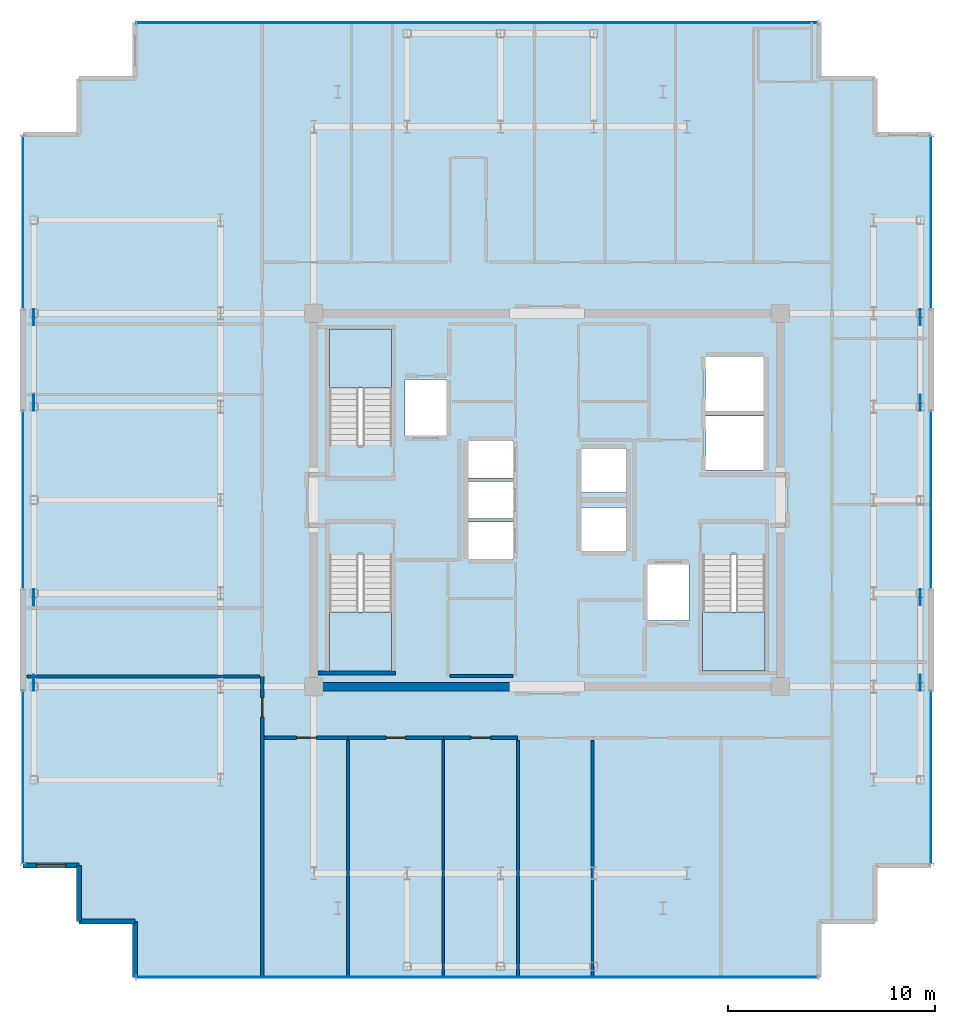
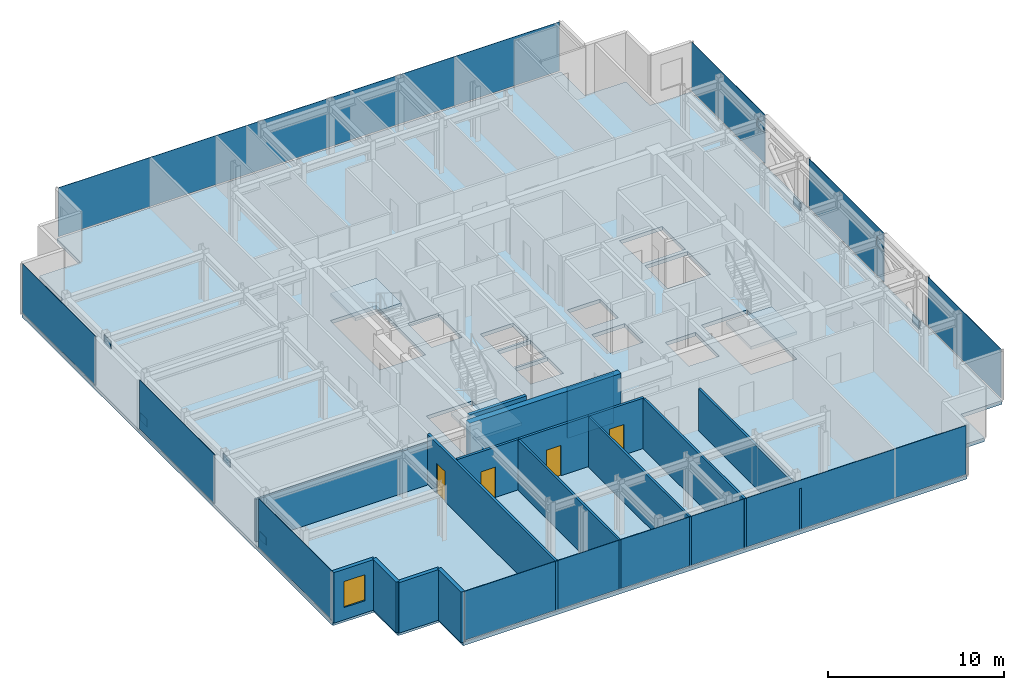
# One storey, part 10 of 16: 16 plates, 16 walls, 4 doors, 4 slabs, 1 window, 5 openings, 11 elements without a shape of their own.
"""IFC4 building model written with IfcOpenShell, lengths in metres."""

from ifc_helpers import new_model, si_unit, direction, frame, frame_2d, origin, origin_2d, place, context, subcontext, project, spatial, polyline, rectangle, outline, extrude, source, transform, mapped, material, layer, layer_set, type_object, element, fill, aggregate, save


model = new_model("IFC4")

# Units and contexts
model_context = context("Model", 3, precision=1e-05, world=origin(), true_north=direction((0.0, 1.0)))
body_context = subcontext(model_context, "Body", "Model", "MODEL_VIEW")
ifc_project = project(units=[si_unit("LENGTHUNIT", "METRE"), si_unit("AREAUNIT", "SQUARE_METRE"), si_unit("VOLUMEUNIT", "CUBIC_METRE"), si_unit("PLANEANGLEUNIT", "RADIAN"), si_unit("MASSUNIT", "GRAM", prefix="KILO")], contexts=[model_context])

# Site, building, storey
site_placement = place(None, origin())
site = spatial("IfcSite", under=ifc_project, at=site_placement, CompositionType="ELEMENT")
building_placement = place(site_placement, origin())
building = spatial("IfcBuilding", under=site, at=building_placement, Name="Nefas-Gora Pilgrimage Tower", CompositionType="ELEMENT")
storey_placement = place(building_placement, frame((0.0, 0.0, 345.199951171875)))
storey = spatial("IfcBuildingStorey", under=building, at=storey_placement, Name="L87", CompositionType="ELEMENT", Elevation=345.199951171875)

# Slab
ifc_material_1 = material(Name="Concrete C40/50", Category="concrete")
ifc_layer_1 = layer(ifc_material_1, 0.25)
ifc_layer_set_1 = layer_set([ifc_layer_1], Name="Concrete C40/50")
slab_type_1 = type_object("IfcSlabType", Name="SLB-TWR-260", PredefinedType="FLOOR", material=ifc_layer_set_1)
slab_1_placement = place(storey_placement, frame((0.0, 0.0, -0.25)))
element("IfcSlab", 1, at=slab_1_placement, inside=storey, type_object=slab_type_1, Name="L87 Structural Floor Slab", PredefinedType="FLOOR", context=body_context, shape_type="SweptSolid", body=[
    extrude(outline(polyline([(18.52001953125, 17.6201171875), (15.820068359375, 17.6201171875), (15.820068359375, 20.320068359375), (13.1201171875, 20.320068359375), (13.1201171875, 23.02001953125), (-19.8701171875, 23.02001953125), (-19.8701171875, 20.320068359375), (-22.570068359375, 20.320068359375), (-22.570068359375, 17.6201171875), (-25.27001953125, 17.6201171875), (-25.27001953125, -17.6201171875), (-22.570068359375, -17.6201171875), (-22.570068359375, -20.320068359375), (-19.8701171875, -20.320068359375), (-19.8701171875, -23.02001953125), (13.1201171875, -23.02001953125), (13.1201171875, -20.320068359375), (15.820068359375, -20.320068359375), (15.820068359375, -17.6201171875), (18.52001953125, -17.6201171875), (18.52001953125, 17.6201171875)]), holes=[polyline([(-10.5, 2.639892578125), (-10.5, 8.25), (-7.5, 8.25), (-7.5, 2.639892578125), (-10.5, 2.639892578125)]), polyline([(10.5, -2.639892578125), (10.5, -8.25), (7.5, -8.25), (7.5, -2.639892578125), (10.5, -2.639892578125)]), polyline([(-7.5, -2.639892578125), (-7.5, -8.25), (-10.5, -8.25), (-10.5, -2.639892578125), (-7.5, -2.639892578125)]), polyline([(-6.85009765625, 5.800048828125), (-4.85009765625, 5.800048828125), (-4.85009765625, 3.10009765625), (-6.85009765625, 3.10009765625), (-6.85009765625, 5.800048828125)]), polyline([(4.85009765625, -3.10009765625), (6.85009765625, -3.10009765625), (6.85009765625, -5.800048828125), (4.85009765625, -5.800048828125), (4.85009765625, -3.10009765625)]), polyline([(7.64990234375, 4.050048828125), (10.449951171875, 4.050048828125), (10.449951171875, 1.449951171875), (7.64990234375, 1.449951171875), (7.64990234375, 4.050048828125)]), polyline([(7.64990234375, 6.89990234375), (10.449951171875, 6.89990234375), (10.449951171875, 4.300048828125), (7.64990234375, 4.300048828125), (7.64990234375, 6.89990234375)]), polyline([(-3.800048828125, -1.050048828125), (-1.64990234375, -1.050048828125), (-1.64990234375, -2.85009765625), (-3.800048828125, -2.85009765625), (-3.800048828125, -1.050048828125)]), polyline([(-3.800048828125, 0.89990234375), (-1.64990234375, 0.89990234375), (-1.64990234375, -0.89990234375), (-3.800048828125, -0.89990234375), (-3.800048828125, 0.89990234375)]), polyline([(-3.800048828125, 2.85009765625), (-1.64990234375, 2.85009765625), (-1.64990234375, 1.050048828125), (-3.800048828125, 1.050048828125), (-3.800048828125, 2.85009765625)]), polyline([(1.64990234375, -0.35009765625), (3.800048828125, -0.35009765625), (3.800048828125, -2.449951171875), (1.64990234375, -2.449951171875), (1.64990234375, -0.35009765625)]), polyline([(1.64990234375, 2.449951171875), (3.800048828125, 2.449951171875), (3.800048828125, 0.35009765625), (1.64990234375, 0.35009765625), (1.64990234375, 2.449951171875)])]), origin(), (0.0, 0.0, 1.0), 0.25),
])

# Stair, slab
ifc_material_2 = material(Name="Concrete C45/55", Category="concrete")
stair_type = type_object("IfcStairType", Name="STR-1400-R1727", PredefinedType="HALF_TURN_STAIR", material=ifc_material_2)
stair_1_placement = place(storey_placement, origin())
stair_1 = element("IfcStair", 2, at=stair_1_placement, inside=storey, type_object=stair_type, Name="L87 Pressurised Tower Exit Stair ST-01", PredefinedType="HALF_TURN_STAIR")
ifc_layer_2 = layer(ifc_material_1, 0.199951171875)
ifc_layer_set_2 = layer_set([ifc_layer_2], Name="Concrete C40/50")
slab_type_2 = type_object("IfcSlabType", Name="STR-LAND-200", PredefinedType="LANDING", material=ifc_layer_set_2)
slab_2_placement = place(storey_placement, frame((0.0, 0.0, 1.699951171875)))
slab_2 = element("IfcSlab", 3, at=slab_2_placement, type_object=slab_type_2, Name="ST-01 landing 1", PredefinedType="LANDING", context=body_context, shape_type="SweptSolid", body=[
    extrude(outline(polyline([(-7.5, 5.39990234375), (-7.5, 8.25), (-10.5, 8.25), (-10.5, 5.39990234375), (-7.5, 5.39990234375)])), origin(), (0.0, 0.0, 1.0), 0.2001953125),
])
aggregate(stair_1, [slab_2])

stair_2_placement = place(storey_placement, origin())
stair_2 = element("IfcStair", 4, at=stair_2_placement, inside=storey, type_object=stair_type, Name="L87 Pressurised Tower Exit Stair ST-02", PredefinedType="HALF_TURN_STAIR")
slab_3_placement = place(storey_placement, frame((0.0, 0.0, 1.699951171875)))
slab_3 = element("IfcSlab", 5, at=slab_3_placement, type_object=slab_type_2, Name="ST-02 landing 1", PredefinedType="LANDING", context=body_context, shape_type="SweptSolid", body=[
    extrude(outline(polyline([(7.5, -5.39990234375), (7.5, -8.25), (10.5, -8.25), (10.5, -5.39990234375), (7.5, -5.39990234375)])), origin(), (0.0, 0.0, 1.0), 0.2001953125),
])
aggregate(stair_2, [slab_3])

stair_3_placement = place(storey_placement, origin())
stair_3 = element("IfcStair", 6, at=stair_3_placement, inside=storey, type_object=stair_type, Name="L87 Pressurised Tower Exit Stair ST-03", PredefinedType="HALF_TURN_STAIR")
slab_4_placement = place(storey_placement, frame((0.0, 0.0, 1.699951171875)))
slab_4 = element("IfcSlab", 7, at=slab_4_placement, type_object=slab_type_2, Name="ST-03 landing 1", PredefinedType="LANDING", context=body_context, shape_type="SweptSolid", body=[
    extrude(outline(polyline([(-10.5, -5.39990234375), (-10.5, -8.25), (-7.5, -8.25), (-7.5, -5.39990234375), (-10.5, -5.39990234375)])), origin(), (0.0, 0.0, 1.0), 0.2001953125),
])
aggregate(stair_3, [slab_4])

# Plates
ifc_material_3 = material(Name="Steel S355", Category="steel")
ifc_layer_3 = layer(ifc_material_3, 0.053955078125)
ifc_layer_set_3 = layer_set([ifc_layer_3], Name="Steel S355")
plate_type_1 = type_object("IfcPlateType", Name="PLT-NODE-N10", PredefinedType="USERDEFINED", material=ifc_layer_set_3)
shared_shape_1 = source(origin(), body_context, "Body", "SweptSolid", [
    extrude(rectangle(XDim=0.780029296875, YDim=0.0380859375, at=origin_2d()), origin(), (0.0, 0.0, 1.0), 0.5400390625),
])
for number, where, z_axis, x_axis, name in (
    (8, (-24.75, -8.81201171875, 0.012451171875), (0.0, 0.0, 1.0), (0.0, 1.0, 0.0), "Structural Node Gusset Plate N10 (L87)"),
    (9, (-24.75, -4.68798828125, 2.917724609375), (0.0, 0.0, 1.0), (0.0, 1.0, 0.0), "Structural Node Gusset Plate N10 (L87)"),
    (10, (-24.75, 4.68798828125, 0.012451171875), (0.0, 0.0, 1.0), (0.0, 1.0, 0.0), "Structural Node Gusset Plate N10 (L87)"),
    (11, (-24.75, 8.81201171875, 2.917724609375), (0.0, 0.0, 1.0), (0.0, 1.0, 0.0), "Structural Node Gusset Plate N10 (L87)"),
    (12, (18.0, -8.81201171875, 0.012451171875), (0.0, 0.0, 1.0), (0.0, 1.0, 0.0), "Structural Node Gusset Plate N10 (L87)"),
    (13, (18.0, -4.68798828125, 2.917724609375), (0.0, 0.0, 1.0), (0.0, 1.0, 0.0), "Structural Node Gusset Plate N10 (L87)"),
    (14, (18.0, 4.68798828125, 0.012451171875), (0.0, 0.0, 1.0), (0.0, 1.0, 0.0), "Structural Node Gusset Plate N10 (L87)"),
    (15, (18.0, 8.81201171875, 2.917724609375), (0.0, 0.0, 1.0), (0.0, 1.0, 0.0), "Structural Node Gusset Plate N10 (L87)"),
):
    element("IfcPlate", number, at=place(storey_placement, frame(where, z_axis=z_axis, x_axis=x_axis)), inside=storey, type_object=plate_type_1, Name=name, ObjectType="GUSSET_PLATE", PredefinedType="USERDEFINED", context=body_context, shape_type="MappedRepresentation", body=[
        mapped(shared_shape_1, transform((0.0, 0.0, 0.0), x_axis=(1.0, 0.0, 0.0), y_axis=(0.0, 1.0, 0.0), z_axis=(0.0, 0.0, 1.0), scale=1.0)),
    ])

# Curtain wall, plate
ifc_material_4 = material(Name="Dark ceramic-fritted solar-control aluminium-glass curtain wall", Category="aluminium")
ifc_layer_4 = layer(ifc_material_4, 0.219970703125)
ifc_layer_set_4 = layer_set([ifc_layer_4], Name="Dark ceramic-fritted solar-control aluminium-glass curtain wall")
curtain_wall_type = type_object("IfcCurtainWallType", Name="CW-SYS-4", PredefinedType="NOTDEFINED", material=ifc_layer_set_4)
curtain_wall_1_placement = place(storey_placement, origin())
curtain_wall_1 = element("IfcCurtainWall", 16, at=curtain_wall_1_placement, inside=storey, type_object=curtain_wall_type, Name="L87 Unitised Curtain Wall CW4", PredefinedType="NOTDEFINED")
ifc_material_5 = material(Name="Dark ceramic-printed low-e insulated glass", Category="glass")
ifc_layer_5 = layer(ifc_material_5, 0.030029296875)
ifc_layer_set_5 = layer_set([ifc_layer_5], Name="Dark ceramic-printed low-e insulated glass")
plate_type_2 = type_object("IfcPlateType", Name="CWP-PNL-4", PredefinedType="CURTAIN_PANEL", material=ifc_layer_set_5)
shared_shape_2 = source(origin(), body_context, "Body", "SweptSolid", [
    extrude(rectangle(XDim=32.81005859375, YDim=0.030029296875, at=origin_2d()), origin(), (0.0, 0.0, 1.0), 3.389892578125),
])
plate_1_placement = place(storey_placement, frame((-3.375, 23.02001953125, 0.10009765625), z_axis=(0.0, 0.0, 1.0), x_axis=(-1.0, 0.0, 0.0)))
plate_1 = element("IfcPlate", 17, at=plate_1_placement, type_object=plate_type_2, Name="CW4 Ceramic-Fritted Glazing Panel 1", PredefinedType="CURTAIN_PANEL", context=body_context, shape_type="MappedRepresentation", body=[
    mapped(shared_shape_2, transform((0.0, 0.0, 0.0), x_axis=(1.0, 0.0, 0.0), y_axis=(0.0, 1.0, 0.0), z_axis=(0.0, 0.0, 1.0), scale=1.0)),
])
aggregate(curtain_wall_1, [plate_1])

curtain_wall_2_placement = place(storey_placement, origin())
curtain_wall_2 = element("IfcCurtainWall", 18, at=curtain_wall_2_placement, inside=storey, type_object=curtain_wall_type, Name="L87 Unitised Curtain Wall CW4", PredefinedType="NOTDEFINED")
plate_2_placement = place(storey_placement, frame((-3.375, -23.02001953125, 0.10009765625), z_axis=(0.0, 0.0, 1.0), x_axis=(1.0, 0.0, 0.0)))
plate_2 = element("IfcPlate", 19, at=plate_2_placement, type_object=plate_type_2, Name="CW4 Ceramic-Fritted Glazing Panel 1", PredefinedType="CURTAIN_PANEL", context=body_context, shape_type="MappedRepresentation", body=[
    mapped(shared_shape_2, transform((0.0, 0.0, 0.0), x_axis=(1.0, 0.0, 0.0), y_axis=(0.0, 1.0, 0.0), z_axis=(0.0, 0.0, 1.0), scale=1.0)),
])
aggregate(curtain_wall_2, [plate_2])

curtain_wall_3_placement = place(storey_placement, origin())
curtain_wall_3 = element("IfcCurtainWall", 20, at=curtain_wall_3_placement, inside=storey, type_object=curtain_wall_type, Name="L87 Unitised Curtain Wall CW4", PredefinedType="NOTDEFINED")
shared_shape_3 = source(origin(), body_context, "Body", "SweptSolid", [
    extrude(rectangle(XDim=8.2900390625, YDim=0.030029296875, at=origin_2d()), origin(), (0.0, 0.0, 1.0), 3.389892578125),
])
plate_3_placement = place(storey_placement, frame((-25.27001953125, 13.385009765625, 0.10009765625), z_axis=(0.0, 0.0, 1.0), x_axis=(0.0, -1.0, 0.0)))
plate_3 = element("IfcPlate", 21, at=plate_3_placement, type_object=plate_type_2, Name="CW4 Ceramic-Fritted Glazing Panel 1", PredefinedType="CURTAIN_PANEL", context=body_context, shape_type="MappedRepresentation", body=[
    mapped(shared_shape_3, transform((0.0, 0.0, 0.0), x_axis=(1.0, 0.0, 0.0), y_axis=(0.0, 1.0, 0.0), z_axis=(0.0, 0.0, 1.0), scale=1.0)),
])
aggregate(curtain_wall_3, [plate_3])

curtain_wall_4_placement = place(storey_placement, origin())
curtain_wall_4 = element("IfcCurtainWall", 22, at=curtain_wall_4_placement, inside=storey, type_object=curtain_wall_type, Name="L87 Unitised Curtain Wall CW4", PredefinedType="NOTDEFINED")
plate_4_placement = place(storey_placement, frame((-25.27001953125, -13.385009765625, 0.10009765625), z_axis=(0.0, 0.0, 1.0), x_axis=(0.0, -1.0, 0.0)))
plate_4 = element("IfcPlate", 23, at=plate_4_placement, type_object=plate_type_2, Name="CW4 Ceramic-Fritted Glazing Panel 1", PredefinedType="CURTAIN_PANEL", context=body_context, shape_type="MappedRepresentation", body=[
    mapped(shared_shape_3, transform((0.0, 0.0, 0.0), x_axis=(1.0, 0.0, 0.0), y_axis=(0.0, 1.0, 0.0), z_axis=(0.0, 0.0, 1.0), scale=1.0)),
])
aggregate(curtain_wall_4, [plate_4])

curtain_wall_5_placement = place(storey_placement, origin())
curtain_wall_5 = element("IfcCurtainWall", 24, at=curtain_wall_5_placement, inside=storey, type_object=curtain_wall_type, Name="L87 Unitised Curtain Wall CW4", PredefinedType="NOTDEFINED")
plate_5_placement = place(storey_placement, frame((18.52001953125, -13.385009765625, 0.10009765625), z_axis=(0.0, 0.0, 1.0), x_axis=(0.0, 1.0, 0.0)))
plate_5 = element("IfcPlate", 25, at=plate_5_placement, type_object=plate_type_2, Name="CW4 Ceramic-Fritted Glazing Panel 1", PredefinedType="CURTAIN_PANEL", context=body_context, shape_type="MappedRepresentation", body=[
    mapped(shared_shape_3, transform((0.0, 0.0, 0.0), x_axis=(1.0, 0.0, 0.0), y_axis=(0.0, 1.0, 0.0), z_axis=(0.0, 0.0, 1.0), scale=1.0)),
])
aggregate(curtain_wall_5, [plate_5])

curtain_wall_6_placement = place(storey_placement, origin())
curtain_wall_6 = element("IfcCurtainWall", 26, at=curtain_wall_6_placement, inside=storey, type_object=curtain_wall_type, Name="L87 Unitised Curtain Wall CW4", PredefinedType="NOTDEFINED")
plate_6_placement = place(storey_placement, frame((18.52001953125, 13.385009765625, 0.10009765625), z_axis=(0.0, 0.0, 1.0), x_axis=(0.0, 1.0, 0.0)))
plate_6 = element("IfcPlate", 27, at=plate_6_placement, type_object=plate_type_2, Name="CW4 Ceramic-Fritted Glazing Panel 1", PredefinedType="CURTAIN_PANEL", context=body_context, shape_type="MappedRepresentation", body=[
    mapped(shared_shape_3, transform((0.0, 0.0, 0.0), x_axis=(1.0, 0.0, 0.0), y_axis=(0.0, 1.0, 0.0), z_axis=(0.0, 0.0, 1.0), scale=1.0)),
])
aggregate(curtain_wall_6, [plate_6])

curtain_wall_7_placement = place(storey_placement, origin())
curtain_wall_7 = element("IfcCurtainWall", 28, at=curtain_wall_7_placement, inside=storey, type_object=curtain_wall_type, Name="L87 Unitised Curtain Wall CW4", PredefinedType="NOTDEFINED")
shared_shape_4 = source(origin(), body_context, "Body", "SweptSolid", [
    extrude(rectangle(XDim=8.52001953125, YDim=0.030029296875, at=origin_2d()), origin(), (0.0, 0.0, 1.0), 3.389892578125),
])
plate_7_placement = place(storey_placement, frame((-25.27001953125, 0.0, 0.10009765625), z_axis=(0.0, 0.0, 1.0), x_axis=(0.0, -1.0, 0.0)))
plate_7 = element("IfcPlate", 29, at=plate_7_placement, type_object=plate_type_2, Name="CW4 Ceramic-Fritted Glazing Panel 1", PredefinedType="CURTAIN_PANEL", context=body_context, shape_type="MappedRepresentation", body=[
    mapped(shared_shape_4, transform((0.0, 0.0, 0.0), x_axis=(1.0, 0.0, 0.0), y_axis=(0.0, 1.0, 0.0), z_axis=(0.0, 0.0, 1.0), scale=1.0)),
])
aggregate(curtain_wall_7, [plate_7])

curtain_wall_8_placement = place(storey_placement, origin())
curtain_wall_8 = element("IfcCurtainWall", 30, at=curtain_wall_8_placement, inside=storey, type_object=curtain_wall_type, Name="L87 Unitised Curtain Wall CW4", PredefinedType="NOTDEFINED")
plate_8_placement = place(storey_placement, frame((18.52001953125, 0.0, 0.10009765625), z_axis=(0.0, 0.0, 1.0), x_axis=(0.0, 1.0, 0.0)))
plate_8 = element("IfcPlate", 31, at=plate_8_placement, type_object=plate_type_2, Name="CW4 Ceramic-Fritted Glazing Panel 1", PredefinedType="CURTAIN_PANEL", context=body_context, shape_type="MappedRepresentation", body=[
    mapped(shared_shape_4, transform((0.0, 0.0, 0.0), x_axis=(1.0, 0.0, 0.0), y_axis=(0.0, 1.0, 0.0), z_axis=(0.0, 0.0, 1.0), scale=1.0)),
])
aggregate(curtain_wall_8, [plate_8])

# Wall
ifc_material_6 = material(Name="Concrete C50/60", Category="concrete")
ifc_layer_6 = layer(ifc_material_6, 0.39990234375)
ifc_layer_set_6 = layer_set([ifc_layer_6], Name="Concrete C50/60")
wall_type_1 = type_object("IfcWallType", Name="SW-CORE-400", PredefinedType="SHEAR", material=ifc_layer_set_6)
shared_shape_5 = source(origin(), body_context, "Body", "SweptSolid", [
    extrude(rectangle(XDim=9.89990234375, YDim=0.39990234375, at=frame_2d((4.949951171875, 0.0))), origin(), (0.0, 0.0, 1.0), 3.800048828125),
])
wall_1_placement = place(storey_placement, frame((-11.449951171875, -9.0, 0.0), z_axis=(0.0, 0.0, 1.0), x_axis=(1.0, 0.0, 0.0)))
element("IfcWall", 32, at=wall_1_placement, inside=storey, type_object=wall_type_1, Name="L87 Core Shear Wall S-West", PredefinedType="SHEAR", context=body_context, shape_type="MappedRepresentation", body=[
    mapped(shared_shape_5, transform((0.0, 0.0, 0.0), x_axis=(1.0, 0.0, 0.0), y_axis=(0.0, 1.0, 0.0), z_axis=(0.0, 0.0, 1.0), scale=1.0)),
])

# Wall, opening, window
ifc_material_7 = material(Name="Precast concrete C45/55", Category="concrete")
ifc_layer_7 = layer(ifc_material_7, 0.239990234375)
ifc_layer_set_7 = layer_set([ifc_layer_7], Name="Precast concrete C45/55")
wall_type_2 = type_object("IfcWallType", Name="EW-SERR-240", PredefinedType="SHEAR", material=ifc_layer_set_7)
shared_shape_6 = source(origin(), body_context, "Body", "SweptSolid", [
    extrude(rectangle(XDim=2.699951171875, YDim=0.239990234375, at=frame_2d((1.35009765625, 0.0))), origin(), (0.0, 0.0, 1.0), 3.5),
])
wall_2_placement = place(storey_placement, frame((-25.27001953125, -17.6201171875, 0.0), z_axis=(0.0, 0.0, 1.0), x_axis=(1.0, 0.0, 0.0)))
wall_2 = element("IfcWall", 33, at=wall_2_placement, inside=storey, type_object=wall_type_2, Name="L87 Serrated Corner Shear Pier Wall 13", PredefinedType="SHEAR", context=body_context, shape_type="MappedRepresentation", body=[
    mapped(shared_shape_6, transform((0.0, 0.0, 0.0), x_axis=(1.0, 0.0, 0.0), y_axis=(0.0, 1.0, 0.0), z_axis=(0.0, 0.0, 1.0), scale=1.0)),
])
opening_1_placement = place(wall_2_placement, frame((0.64990234375, 0.0, 0.85009765625)))
opening_1 = element("IfcOpeningElement", 34, at=opening_1_placement, cuts=wall_2, Name="Opening W-V2", PredefinedType="OPENING", context=body_context, shape_type="SweptSolid", body=[
    extrude(rectangle(XDim=1.39990234375, YDim=1.800048828125, at=frame_2d((0.699951171875, 0.89990234375))), frame((0.0, 0.1298828125, 0.0), z_axis=(0.0, -1.0, 0.0), x_axis=(1.0, 0.0, 0.0)), (0.0, 0.0, 1.0), 0.260009765625),
])
ifc_material_8 = material(Name="Dark ceramic-fritted operable aluminium-glass window", Category="aluminium")
window_type = type_object("IfcWindowType", Name="WIN-VENT-1400x1800", PartitioningType="SINGLE_PANEL", PredefinedType="WINDOW", material=ifc_material_8)
shared_shape_7 = source(origin(), body_context, "Body", "SweptSolid", [
    extrude(rectangle(XDim=1.39990234375, YDim=1.800048828125, at=frame_2d((0.699951171875, 0.89990234375))), frame((0.0, 0.030029296875, 0.0), z_axis=(0.0, -1.0, 0.0), x_axis=(1.0, 0.0, 0.0)), (0.0, 0.0, 1.0), 0.06005859375),
])
window_placement = place(opening_1_placement, origin())
window = element("IfcWindow", 35, at=window_placement, inside=storey, type_object=window_type, Name="L87 Operable Parallel-Outswing Window 13", OverallHeight=1.800048828125, OverallWidth=1.39990234375, PartitioningType="SINGLE_PANEL", PredefinedType="WINDOW", context=body_context, shape_type="MappedRepresentation", body=[
    mapped(shared_shape_7, transform((0.0, 0.0, 0.0), x_axis=(1.0, 0.0, 0.0), y_axis=(0.0, 1.0, 0.0), z_axis=(0.0, 0.0, 1.0), scale=1.0)),
])
fill(opening_1, window)

# Walls
for number, where, z_axis, x_axis, name in (
    (36, (-22.570068359375, -17.6201171875, 0.0), (0.0, 0.0, 1.0), (0.0, -1.0, 0.0), "L87 Serrated Corner Shear Pier Wall 14"),
    (37, (-22.570068359375, -20.320068359375, 0.0), (0.0, 0.0, 1.0), (1.0, 0.0, 0.0), "L87 Serrated Corner Shear Pier Wall 15"),
    (38, (-19.8701171875, -20.320068359375, 0.0), (0.0, 0.0, 1.0), (0.0, -1.0, 0.0), "L87 Serrated Corner Shear Pier Wall 16"),
):
    element("IfcWall", number, at=place(storey_placement, frame(where, z_axis=z_axis, x_axis=x_axis)), inside=storey, type_object=wall_type_2, Name=name, PredefinedType="SHEAR", context=body_context, shape_type="MappedRepresentation", body=[
        mapped(shared_shape_6, transform((0.0, 0.0, 0.0), x_axis=(1.0, 0.0, 0.0), y_axis=(0.0, 1.0, 0.0), z_axis=(0.0, 0.0, 1.0), scale=1.0)),
    ])
ifc_layer_8 = layer(ifc_material_2, 0.199951171875)
ifc_layer_set_8 = layer_set([ifc_layer_8], Name="Concrete C45/55")
wall_type_3 = type_object("IfcWallType", Name="IW-STAIR-200", PredefinedType="SOLIDWALL", material=ifc_layer_set_8)
shared_shape_8 = source(origin(), body_context, "Body", "SweptSolid", [
    extrude(rectangle(XDim=3.7548828125, YDim=0.199951171875, at=frame_2d((1.87744140625, 0.0))), origin(), (0.0, 0.0, 1.0), 3.800048828125),
])
wall_3_placement = place(storey_placement, frame((-11.054931640625, -8.35009765625, 0.0), z_axis=(0.0, 0.0, 1.0), x_axis=(1.0, 0.0, 0.0)))
element("IfcWall", 39, at=wall_3_placement, inside=storey, type_object=wall_type_3, Name="L87 Stairwell Shear Wall ST-03-far", PredefinedType="SOLIDWALL", context=body_context, shape_type="MappedRepresentation", body=[
    mapped(shared_shape_8, transform((0.0, 0.0, 0.0), x_axis=(1.0, 0.0, 0.0), y_axis=(0.0, 1.0, 0.0), z_axis=(0.0, 0.0, 1.0), scale=1.0)),
])

# Wall, opening, door
ifc_material_9 = material(Name="Gypsum acoustic stud partition")
ifc_layer_9 = layer(ifc_material_9, 0.159912109375)
ifc_layer_set_9 = layer_set([ifc_layer_9], Name="Gypsum acoustic stud partition")
wall_type_4 = type_object("IfcWallType", Name="IW-CORR-160", PredefinedType="PARTITIONING", material=ifc_layer_set_9)
shared_shape_9 = source(origin(), body_context, "Body", "SweptSolid", [
    extrude(rectangle(XDim=14.544921875, YDim=0.159912109375, at=frame_2d((7.2724609375, 0.0))), origin(), (0.0, 0.0, 1.0), 3.485107421875),
])
wall_4_placement = place(storey_placement, frame((-13.739990234375, -23.0400390625, 0.0), z_axis=(0.0, 0.0, 1.0), x_axis=(0.0, 1.0, 0.0)))
wall_4 = element("IfcWall", 40, at=wall_4_placement, inside=storey, type_object=wall_type_4, Name="L87 Pilgrim Devotional Prayer Gallery Partition Wall 43", PredefinedType="PARTITIONING", context=body_context, shape_type="MappedRepresentation", body=[
    mapped(shared_shape_9, transform((0.0, 0.0, 0.0), x_axis=(1.0, 0.0, 0.0), y_axis=(0.0, 1.0, 0.0), z_axis=(0.0, 0.0, 1.0), scale=1.0)),
])
opening_2_placement = place(wall_4_placement, frame((12.5625, 0.0, 0.0)))
opening_2 = element("IfcOpeningElement", 41, at=opening_2_placement, cuts=wall_4, Name="Opening ID-GR1", PredefinedType="OPENING", context=body_context, shape_type="SweptSolid", body=[
    extrude(rectangle(XDim=0.949951171875, YDim=2.10009765625, at=frame_2d((0.47509765625, 1.050048828125))), frame((0.0, 0.08984375, 0.0), z_axis=(0.0, -1.0, 0.0), x_axis=(1.0, 0.0, 0.0)), (0.0, 0.0, 1.0), 0.179931640625),
])
ifc_material_10 = material(Name="Solid core oak fire-rated guest entrance door")
door_type = type_object("IfcDoorType", Name="DR-INT-GUEST-950", OperationType="NOTDEFINED", PredefinedType="DOOR", material=ifc_material_10)
shared_shape_10 = source(origin(), body_context, "Body", "SweptSolid", [
    extrude(rectangle(XDim=0.949951171875, YDim=2.10009765625, at=frame_2d((0.47509765625, 1.050048828125))), frame((0.0, 0.02490234375, 0.0), z_axis=(0.0, -1.0, 0.0), x_axis=(1.0, 0.0, 0.0)), (0.0, 0.0, 1.0), 0.050048828125),
])
door_1_placement = place(opening_2_placement, origin())
door_1 = element("IfcDoor", 42, at=door_1_placement, inside=storey, type_object=door_type, Name="L87 Pilgrim Devotional Prayer Gallery Door 17", OperationType="SINGLE_SWING_RIGHT", OverallHeight=2.10009765625, OverallWidth=0.949951171875, PredefinedType="DOOR", context=body_context, shape_type="MappedRepresentation", body=[
    mapped(shared_shape_10, transform((0.0, 0.0, 0.0), x_axis=(1.0, 0.0, 0.0), y_axis=(0.0, 1.0, 0.0), z_axis=(0.0, 0.0, 1.0), scale=1.0)),
])
fill(opening_2, door_1)

# Walls
ifc_material_11 = material(Name="Gypsum twin-stud partition")
ifc_layer_10 = layer(ifc_material_11, 0.139892578125)
ifc_layer_set_10 = layer_set([ifc_layer_10], Name="Gypsum twin-stud partition")
wall_type_5 = type_object("IfcWallType", Name="IW-UNIT-140", PredefinedType="PARTITIONING", material=ifc_layer_set_10)
shared_shape_11 = source(origin(), body_context, "Body", "SweptSolid", [
    extrude(rectangle(XDim=11.219970703125, YDim=0.139892578125, at=frame_2d((5.60986328125, 0.0))), origin(), (0.0, 0.0, 1.0), 2.925048828125),
])
wall_5_placement = place(storey_placement, frame((-25.080078125, -8.5048828125, 0.0), z_axis=(0.0, 0.0, 1.0), x_axis=(1.0, 0.0, 0.0)))
element("IfcWall", 43, at=wall_5_placement, inside=storey, type_object=wall_type_5, Name="L87 Pilgrim Devotional Prayer Gallery Partition Wall 44", PredefinedType="PARTITIONING", context=body_context, shape_type="MappedRepresentation", body=[
    mapped(shared_shape_11, transform((0.0, 0.0, 0.0), x_axis=(1.0, 0.0, 0.0), y_axis=(0.0, 1.0, 0.0), z_axis=(0.0, 0.0, 1.0), scale=1.0)),
])
shared_shape_12 = source(origin(), body_context, "Body", "SweptSolid", [
    extrude(rectangle(XDim=11.449951171875, YDim=0.139892578125, at=frame_2d((5.72509765625, 0.0))), origin(), (0.0, 0.0, 1.0), 2.925048828125),
])
wall_6_placement = place(storey_placement, frame((2.195068359375, -23.0400390625, 0.0), z_axis=(0.0, 0.0, 1.0), x_axis=(0.0, 1.0, 0.0)))
element("IfcWall", 44, at=wall_6_placement, inside=storey, type_object=wall_type_5, Name="L87 Pilgrim Contemplative Lounge Partition Wall 80", PredefinedType="PARTITIONING", context=body_context, shape_type="MappedRepresentation", body=[
    mapped(shared_shape_12, transform((0.0, 0.0, 0.0), x_axis=(1.0, 0.0, 0.0), y_axis=(0.0, 1.0, 0.0), z_axis=(0.0, 0.0, 1.0), scale=1.0)),
])
shared_shape_13 = source(origin(), body_context, "Body", "SweptSolid", [
    extrude(rectangle(XDim=3.030029296875, YDim=0.139892578125, at=frame_2d((1.51513671875, 0.0))), origin(), (0.0, 0.0, 1.0), 3.485107421875),
])
wall_7_placement = place(storey_placement, frame((-4.669921875, -8.47998046875, 0.0), z_axis=(0.0, 0.0, 1.0), x_axis=(1.0, 0.0, 0.0)))
element("IfcWall", 45, at=wall_7_placement, inside=storey, type_object=wall_type_5, Name="L87 High-Rise Linen Store Partition Wall 36", PredefinedType="PARTITIONING", context=body_context, shape_type="MappedRepresentation", body=[
    mapped(shared_shape_13, transform((0.0, 0.0, 0.0), x_axis=(1.0, 0.0, 0.0), y_axis=(0.0, 1.0, 0.0), z_axis=(0.0, 0.0, 1.0), scale=1.0)),
])
shared_shape_14 = source(origin(), body_context, "Body", "SweptSolid", [
    extrude(rectangle(XDim=11.449951171875, YDim=0.139892578125, at=frame_2d((5.72509765625, 0.0))), origin(), (0.0, 0.0, 1.0), 3.485107421875),
])
for number, where, z_axis, x_axis, name in (
    (46, (-9.60498046875, -23.0400390625, 0.0), (0.0, 0.0, 1.0), (0.0, 1.0, 0.0), "L87 Pilgrim Contemplative Lounge Partition Wall 74"),
    (47, (-5.0048828125, -23.0400390625, 0.0), (0.0, 0.0, 1.0), (0.0, 1.0, 0.0), "L87 Pilgrim Contemplative Lounge Partition Wall 76"),
    (48, (-1.409912109375, -23.0400390625, 0.0), (0.0, 0.0, 1.0), (0.0, 1.0, 0.0), "L87 Pilgrim Contemplative Lounge Partition Wall 78"),
):
    element("IfcWall", number, at=place(storey_placement, frame(where, z_axis=z_axis, x_axis=x_axis)), inside=storey, type_object=wall_type_5, Name=name, PredefinedType="PARTITIONING", context=body_context, shape_type="MappedRepresentation", body=[
        mapped(shared_shape_14, transform((0.0, 0.0, 0.0), x_axis=(1.0, 0.0, 0.0), y_axis=(0.0, 1.0, 0.0), z_axis=(0.0, 0.0, 1.0), scale=1.0)),
    ])

# Wall, opening, door
shared_shape_15 = source(origin(), body_context, "Body", "SweptSolid", [
    extrude(rectangle(XDim=4.025146484375, YDim=0.159912109375, at=frame_2d((2.0126953125, 0.0))), origin(), (0.0, 0.0, 1.0), 3.485107421875),
])
wall_8_placement = place(storey_placement, frame((-13.6201171875, -11.469970703125, 0.0), z_axis=(0.0, 0.0, 1.0), x_axis=(1.0, 0.0, 0.0)))
wall_8 = element("IfcWall", 49, at=wall_8_placement, inside=storey, type_object=wall_type_4, Name="L87 Pilgrim Contemplative Lounge Partition Wall 73", PredefinedType="PARTITIONING", context=body_context, shape_type="MappedRepresentation", body=[
    mapped(shared_shape_15, transform((0.0, 0.0, 0.0), x_axis=(1.0, 0.0, 0.0), y_axis=(0.0, 1.0, 0.0), z_axis=(0.0, 0.0, 1.0), scale=1.0)),
])
opening_3_placement = place(wall_8_placement, frame((1.53759765625, 0.0, 0.0)))
opening_3 = element("IfcOpeningElement", 50, at=opening_3_placement, cuts=wall_8, Name="Opening ID-GR1", PredefinedType="OPENING", context=body_context, shape_type="SweptSolid", body=[
    extrude(rectangle(XDim=0.949951171875, YDim=2.10009765625, at=frame_2d((0.47509765625, 1.050048828125))), frame((0.0, 0.08984375, 0.0), z_axis=(0.0, -1.0, 0.0), x_axis=(1.0, 0.0, 0.0)), (0.0, 0.0, 1.0), 0.179931640625),
])
door_2_placement = place(opening_3_placement, origin())
door_2 = element("IfcDoor", 51, at=door_2_placement, inside=storey, type_object=door_type, Name="L87 Pilgrim Contemplative Lounge Door 32", OperationType="SINGLE_SWING_LEFT", OverallHeight=2.10009765625, OverallWidth=0.949951171875, PredefinedType="DOOR", context=body_context, shape_type="MappedRepresentation", body=[
    mapped(shared_shape_10, transform((0.0, 0.0, 0.0), x_axis=(1.0, 0.0, 0.0), y_axis=(0.0, 1.0, 0.0), z_axis=(0.0, 0.0, 1.0), scale=1.0)),
])
fill(opening_3, door_2)

shared_shape_16 = source(origin(), body_context, "Body", "SweptSolid", [
    extrude(rectangle(XDim=4.60986328125, YDim=0.159912109375, at=frame_2d((2.304931640625, 0.0))), origin(), (0.0, 0.0, 1.0), 3.485107421875),
])
wall_9_placement = place(storey_placement, frame((-9.60498046875, -11.469970703125, 0.0), z_axis=(0.0, 0.0, 1.0), x_axis=(1.0, 0.0, 0.0)))
wall_9 = element("IfcWall", 52, at=wall_9_placement, inside=storey, type_object=wall_type_4, Name="L87 Pilgrim Contemplative Lounge Partition Wall 75", PredefinedType="PARTITIONING", context=body_context, shape_type="MappedRepresentation", body=[
    mapped(shared_shape_16, transform((0.0, 0.0, 0.0), x_axis=(1.0, 0.0, 0.0), y_axis=(0.0, 1.0, 0.0), z_axis=(0.0, 0.0, 1.0), scale=1.0)),
])
opening_4_placement = place(wall_9_placement, frame((1.830078125, 0.0, 0.0)))
opening_4 = element("IfcOpeningElement", 53, at=opening_4_placement, cuts=wall_9, Name="Opening ID-GR1", PredefinedType="OPENING", context=body_context, shape_type="SweptSolid", body=[
    extrude(rectangle(XDim=0.949951171875, YDim=2.10009765625, at=frame_2d((0.47509765625, 1.050048828125))), frame((0.0, 0.08984375, 0.0), z_axis=(0.0, -1.0, 0.0), x_axis=(1.0, 0.0, 0.0)), (0.0, 0.0, 1.0), 0.179931640625),
])
door_3_placement = place(opening_4_placement, origin())
door_3 = element("IfcDoor", 54, at=door_3_placement, inside=storey, type_object=door_type, Name="L87 Pilgrim Contemplative Lounge Door 33", OperationType="SINGLE_SWING_RIGHT", OverallHeight=2.10009765625, OverallWidth=0.949951171875, PredefinedType="DOOR", context=body_context, shape_type="MappedRepresentation", body=[
    mapped(shared_shape_10, transform((0.0, 0.0, 0.0), x_axis=(1.0, 0.0, 0.0), y_axis=(0.0, 1.0, 0.0), z_axis=(0.0, 0.0, 1.0), scale=1.0)),
])
fill(opening_4, door_3)

shared_shape_17 = source(origin(), body_context, "Body", "SweptSolid", [
    extrude(rectangle(XDim=3.60498046875, YDim=0.159912109375, at=frame_2d((1.802490234375, 0.0))), origin(), (0.0, 0.0, 1.0), 3.485107421875),
])
wall_10_placement = place(storey_placement, frame((-5.0048828125, -11.469970703125, 0.0), z_axis=(0.0, 0.0, 1.0), x_axis=(1.0, 0.0, 0.0)))
wall_10 = element("IfcWall", 55, at=wall_10_placement, inside=storey, type_object=wall_type_4, Name="L87 Pilgrim Contemplative Lounge Partition Wall 77", PredefinedType="PARTITIONING", context=body_context, shape_type="MappedRepresentation", body=[
    mapped(shared_shape_17, transform((0.0, 0.0, 0.0), x_axis=(1.0, 0.0, 0.0), y_axis=(0.0, 1.0, 0.0), z_axis=(0.0, 0.0, 1.0), scale=1.0)),
])
opening_5_placement = place(wall_10_placement, frame((1.327392578125, 0.0, 0.0)))
opening_5 = element("IfcOpeningElement", 56, at=opening_5_placement, cuts=wall_10, Name="Opening ID-GR1", PredefinedType="OPENING", context=body_context, shape_type="SweptSolid", body=[
    extrude(rectangle(XDim=0.949951171875, YDim=2.10009765625, at=frame_2d((0.47509765625, 1.050048828125))), frame((0.0, 0.08984375, 0.0), z_axis=(0.0, -1.0, 0.0), x_axis=(1.0, 0.0, 0.0)), (0.0, 0.0, 1.0), 0.179931640625),
])
door_4_placement = place(opening_5_placement, origin())
door_4 = element("IfcDoor", 57, at=door_4_placement, inside=storey, type_object=door_type, Name="L87 Pilgrim Contemplative Lounge Door 34", OperationType="SINGLE_SWING_LEFT", OverallHeight=2.10009765625, OverallWidth=0.949951171875, PredefinedType="DOOR", context=body_context, shape_type="MappedRepresentation", body=[
    mapped(shared_shape_10, transform((0.0, 0.0, 0.0), x_axis=(1.0, 0.0, 0.0), y_axis=(0.0, 1.0, 0.0), z_axis=(0.0, 0.0, 1.0), scale=1.0)),
])
fill(opening_5, door_4)

save(model, "model.ifc")
